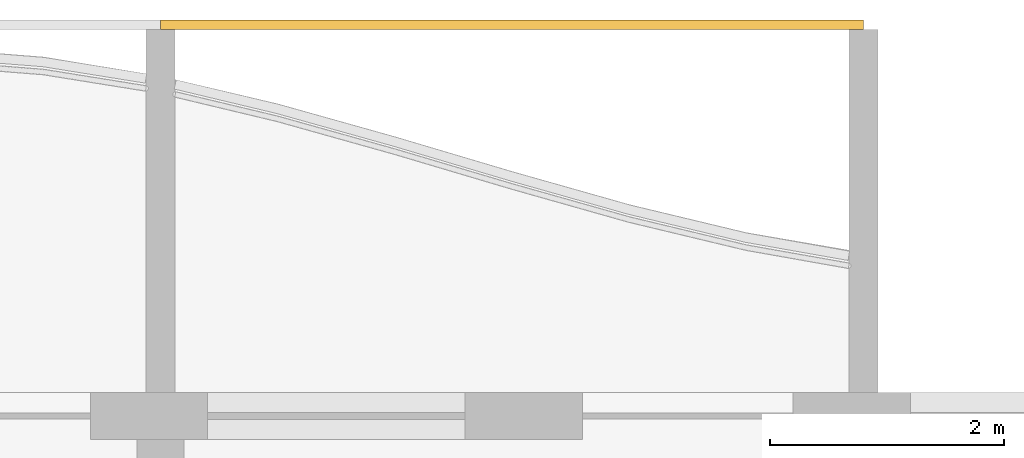
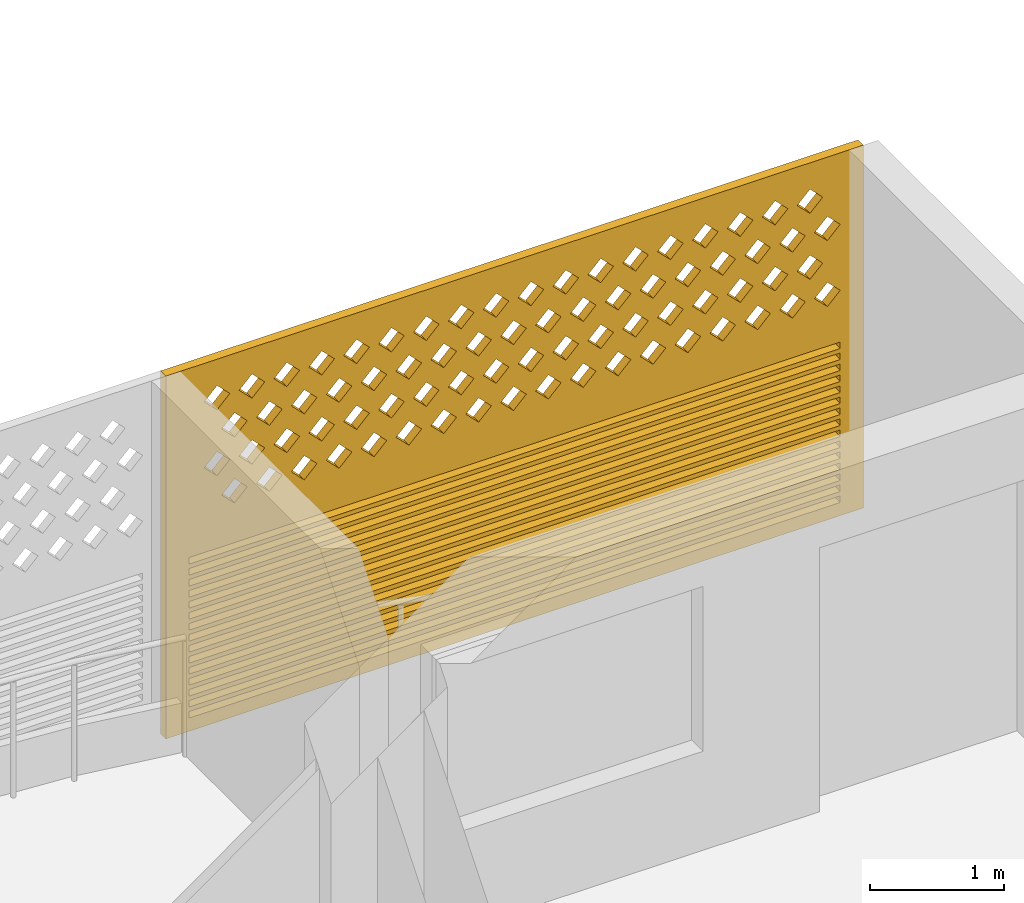
# One storey, part 24 of 39: 1 covering.
"""IFC4 building model written with IfcOpenShell, lengths in metres."""

from ifc_helpers import new_model, si_unit, direction, frame, origin, place, context, subcontext, project, spatial, polyline, outline, extrude, source, transform, mapped, material, material_profile, profile_set, type_object, element, save


model = new_model("IFC4")

# Units and contexts
model_context = context("Model", 3, precision=1e-05, world=origin(), true_north=direction((0.0, 1.0)))
body_context = subcontext(model_context, "Body", "Model", "MODEL_VIEW")
ifc_project = project(units=[si_unit("LENGTHUNIT", "METRE"), si_unit("AREAUNIT", "SQUARE_METRE"), si_unit("VOLUMEUNIT", "CUBIC_METRE"), si_unit("PLANEANGLEUNIT", "RADIAN"), si_unit("MASSUNIT", "GRAM", prefix="KILO")], contexts=[model_context])

# Site, building, storey
site_placement = place(None, origin())
site = spatial("IfcSite", under=ifc_project, at=site_placement, CompositionType="ELEMENT")
building_placement = place(site_placement, origin())
building = spatial("IfcBuilding", under=site, at=building_placement, Name="Poui Terraces", CompositionType="ELEMENT")
storey_placement = place(building_placement, frame((0.0, 0.0, 59.699951171875)))
storey = spatial("IfcBuildingStorey", under=building, at=storey_placement, Name="L16", CompositionType="ELEMENT", Elevation=59.699951171875)

# Covering
ifc_material = material(Name="Terracotta screen", Category="masonry")
ifc_material_profile = material_profile(ifc_material, outline(polyline([(-3.0, -1.64990234375), (3.0, -1.64990234375), (3.0, 1.64990234375), (-3.0, 1.64990234375), (-3.0, -1.64990234375)]), holes=[polyline([(-2.800048828125, 0.39990234375), (-2.68994140625, 0.2900390625), (-2.580078125, 0.39990234375), (-2.68994140625, 0.510009765625), (-2.800048828125, 0.39990234375)]), polyline([(-2.5, 0.39990234375), (-2.389892578125, 0.2900390625), (-2.280029296875, 0.39990234375), (-2.389892578125, 0.510009765625), (-2.5, 0.39990234375)]), polyline([(-2.199951171875, 0.39990234375), (-2.090087890625, 0.2900390625), (-1.97998046875, 0.39990234375), (-2.090087890625, 0.510009765625), (-2.199951171875, 0.39990234375)]), polyline([(-1.89990234375, 0.39990234375), (-1.7900390625, 0.2900390625), (-1.679931640625, 0.39990234375), (-1.7900390625, 0.510009765625), (-1.89990234375, 0.39990234375)]), polyline([(-1.60009765625, 0.39990234375), (-1.489990234375, 0.2900390625), (-1.3798828125, 0.39990234375), (-1.489990234375, 0.510009765625), (-1.60009765625, 0.39990234375)]), polyline([(-1.300048828125, 0.39990234375), (-1.18994140625, 0.2900390625), (-1.080078125, 0.39990234375), (-1.18994140625, 0.510009765625), (-1.300048828125, 0.39990234375)]), polyline([(-1.0, 0.39990234375), (-0.889892578125, 0.2900390625), (-0.780029296875, 0.39990234375), (-0.889892578125, 0.510009765625), (-1.0, 0.39990234375)]), polyline([(-0.699951171875, 0.39990234375), (-0.590087890625, 0.2900390625), (-0.47998046875, 0.39990234375), (-0.590087890625, 0.510009765625), (-0.699951171875, 0.39990234375)]), polyline([(-0.39990234375, 0.39990234375), (-0.2900390625, 0.2900390625), (-0.179931640625, 0.39990234375), (-0.2900390625, 0.510009765625), (-0.39990234375, 0.39990234375)]), polyline([(-0.10009765625, 0.39990234375), (0.010009765625, 0.2900390625), (0.1201171875, 0.39990234375), (0.010009765625, 0.510009765625), (-0.10009765625, 0.39990234375)]), polyline([(0.199951171875, 0.39990234375), (0.31005859375, 0.2900390625), (0.419921875, 0.39990234375), (0.31005859375, 0.510009765625), (0.199951171875, 0.39990234375)]), polyline([(0.5, 0.39990234375), (0.610107421875, 0.2900390625), (0.719970703125, 0.39990234375), (0.610107421875, 0.510009765625), (0.5, 0.39990234375)]), polyline([(0.800048828125, 0.39990234375), (0.909912109375, 0.2900390625), (1.02001953125, 0.39990234375), (0.909912109375, 0.510009765625), (0.800048828125, 0.39990234375)]), polyline([(1.10009765625, 0.39990234375), (1.2099609375, 0.2900390625), (1.320068359375, 0.39990234375), (1.2099609375, 0.510009765625), (1.10009765625, 0.39990234375)]), polyline([(1.39990234375, 0.39990234375), (1.510009765625, 0.2900390625), (1.6201171875, 0.39990234375), (1.510009765625, 0.510009765625), (1.39990234375, 0.39990234375)]), polyline([(1.699951171875, 0.39990234375), (1.81005859375, 0.2900390625), (1.919921875, 0.39990234375), (1.81005859375, 0.510009765625), (1.699951171875, 0.39990234375)]), polyline([(2.0, 0.39990234375), (2.110107421875, 0.2900390625), (2.219970703125, 0.39990234375), (2.110107421875, 0.510009765625), (2.0, 0.39990234375)]), polyline([(2.300048828125, 0.39990234375), (2.409912109375, 0.2900390625), (2.52001953125, 0.39990234375), (2.409912109375, 0.510009765625), (2.300048828125, 0.39990234375)]), polyline([(-2.64990234375, 0.699951171875), (-2.5400390625, 0.590087890625), (-2.429931640625, 0.699951171875), (-2.5400390625, 0.81005859375), (-2.64990234375, 0.699951171875)]), polyline([(-2.35009765625, 0.699951171875), (-2.239990234375, 0.590087890625), (-2.1298828125, 0.699951171875), (-2.239990234375, 0.81005859375), (-2.35009765625, 0.699951171875)]), polyline([(-2.050048828125, 0.699951171875), (-1.93994140625, 0.590087890625), (-1.830078125, 0.699951171875), (-1.93994140625, 0.81005859375), (-2.050048828125, 0.699951171875)]), polyline([(-1.75, 0.699951171875), (-1.639892578125, 0.590087890625), (-1.530029296875, 0.699951171875), (-1.639892578125, 0.81005859375), (-1.75, 0.699951171875)]), polyline([(-1.449951171875, 0.699951171875), (-1.340087890625, 0.590087890625), (-1.22998046875, 0.699951171875), (-1.340087890625, 0.81005859375), (-1.449951171875, 0.699951171875)]), polyline([(-1.14990234375, 0.699951171875), (-1.0400390625, 0.590087890625), (-0.929931640625, 0.699951171875), (-1.0400390625, 0.81005859375), (-1.14990234375, 0.699951171875)]), polyline([(-0.85009765625, 0.699951171875), (-0.739990234375, 0.590087890625), (-0.6298828125, 0.699951171875), (-0.739990234375, 0.81005859375), (-0.85009765625, 0.699951171875)]), polyline([(-0.550048828125, 0.699951171875), (-0.43994140625, 0.590087890625), (-0.330078125, 0.699951171875), (-0.43994140625, 0.81005859375), (-0.550048828125, 0.699951171875)]), polyline([(-0.25, 0.699951171875), (-0.139892578125, 0.590087890625), (-0.030029296875, 0.699951171875), (-0.139892578125, 0.81005859375), (-0.25, 0.699951171875)]), polyline([(0.050048828125, 0.699951171875), (0.159912109375, 0.590087890625), (0.27001953125, 0.699951171875), (0.159912109375, 0.81005859375), (0.050048828125, 0.699951171875)]), polyline([(0.35009765625, 0.699951171875), (0.4599609375, 0.590087890625), (0.570068359375, 0.699951171875), (0.4599609375, 0.81005859375), (0.35009765625, 0.699951171875)]), polyline([(0.64990234375, 0.699951171875), (0.760009765625, 0.590087890625), (0.8701171875, 0.699951171875), (0.760009765625, 0.81005859375), (0.64990234375, 0.699951171875)]), polyline([(0.949951171875, 0.699951171875), (1.06005859375, 0.590087890625), (1.169921875, 0.699951171875), (1.06005859375, 0.81005859375), (0.949951171875, 0.699951171875)]), polyline([(1.25, 0.699951171875), (1.360107421875, 0.590087890625), (1.469970703125, 0.699951171875), (1.360107421875, 0.81005859375), (1.25, 0.699951171875)]), polyline([(1.550048828125, 0.699951171875), (1.659912109375, 0.590087890625), (1.77001953125, 0.699951171875), (1.659912109375, 0.81005859375), (1.550048828125, 0.699951171875)]), polyline([(1.85009765625, 0.699951171875), (1.9599609375, 0.590087890625), (2.070068359375, 0.699951171875), (1.9599609375, 0.81005859375), (1.85009765625, 0.699951171875)]), polyline([(2.14990234375, 0.699951171875), (2.260009765625, 0.590087890625), (2.3701171875, 0.699951171875), (2.260009765625, 0.81005859375), (2.14990234375, 0.699951171875)]), polyline([(2.449951171875, 0.699951171875), (2.56005859375, 0.590087890625), (2.669921875, 0.699951171875), (2.56005859375, 0.81005859375), (2.449951171875, 0.699951171875)]), polyline([(-2.800048828125, 1.0), (-2.68994140625, 0.889892578125), (-2.580078125, 1.0), (-2.68994140625, 1.110107421875), (-2.800048828125, 1.0)]), polyline([(-2.5, 1.0), (-2.389892578125, 0.889892578125), (-2.280029296875, 1.0), (-2.389892578125, 1.110107421875), (-2.5, 1.0)]), polyline([(-2.199951171875, 1.0), (-2.090087890625, 0.889892578125), (-1.97998046875, 1.0), (-2.090087890625, 1.110107421875), (-2.199951171875, 1.0)]), polyline([(-1.89990234375, 1.0), (-1.7900390625, 0.889892578125), (-1.679931640625, 1.0), (-1.7900390625, 1.110107421875), (-1.89990234375, 1.0)]), polyline([(-1.60009765625, 1.0), (-1.489990234375, 0.889892578125), (-1.3798828125, 1.0), (-1.489990234375, 1.110107421875), (-1.60009765625, 1.0)]), polyline([(-1.300048828125, 1.0), (-1.18994140625, 0.889892578125), (-1.080078125, 1.0), (-1.18994140625, 1.110107421875), (-1.300048828125, 1.0)]), polyline([(-1.0, 1.0), (-0.889892578125, 0.889892578125), (-0.780029296875, 1.0), (-0.889892578125, 1.110107421875), (-1.0, 1.0)]), polyline([(-0.699951171875, 1.0), (-0.590087890625, 0.889892578125), (-0.47998046875, 1.0), (-0.590087890625, 1.110107421875), (-0.699951171875, 1.0)]), polyline([(-0.39990234375, 1.0), (-0.2900390625, 0.889892578125), (-0.179931640625, 1.0), (-0.2900390625, 1.110107421875), (-0.39990234375, 1.0)]), polyline([(-0.10009765625, 1.0), (0.010009765625, 0.889892578125), (0.1201171875, 1.0), (0.010009765625, 1.110107421875), (-0.10009765625, 1.0)]), polyline([(0.199951171875, 1.0), (0.31005859375, 0.889892578125), (0.419921875, 1.0), (0.31005859375, 1.110107421875), (0.199951171875, 1.0)]), polyline([(0.5, 1.0), (0.610107421875, 0.889892578125), (0.719970703125, 1.0), (0.610107421875, 1.110107421875), (0.5, 1.0)]), polyline([(0.800048828125, 1.0), (0.909912109375, 0.889892578125), (1.02001953125, 1.0), (0.909912109375, 1.110107421875), (0.800048828125, 1.0)]), polyline([(1.10009765625, 1.0), (1.2099609375, 0.889892578125), (1.320068359375, 1.0), (1.2099609375, 1.110107421875), (1.10009765625, 1.0)]), polyline([(1.39990234375, 1.0), (1.510009765625, 0.889892578125), (1.6201171875, 1.0), (1.510009765625, 1.110107421875), (1.39990234375, 1.0)]), polyline([(1.699951171875, 1.0), (1.81005859375, 0.889892578125), (1.919921875, 1.0), (1.81005859375, 1.110107421875), (1.699951171875, 1.0)]), polyline([(2.0, 1.0), (2.110107421875, 0.889892578125), (2.219970703125, 1.0), (2.110107421875, 1.110107421875), (2.0, 1.0)]), polyline([(2.300048828125, 1.0), (2.409912109375, 0.889892578125), (2.52001953125, 1.0), (2.409912109375, 1.110107421875), (2.300048828125, 1.0)]), polyline([(-2.64990234375, 1.300048828125), (-2.5400390625, 1.18994140625), (-2.429931640625, 1.300048828125), (-2.5400390625, 1.409912109375), (-2.64990234375, 1.300048828125)]), polyline([(-2.35009765625, 1.300048828125), (-2.239990234375, 1.18994140625), (-2.1298828125, 1.300048828125), (-2.239990234375, 1.409912109375), (-2.35009765625, 1.300048828125)]), polyline([(-2.050048828125, 1.300048828125), (-1.93994140625, 1.18994140625), (-1.830078125, 1.300048828125), (-1.93994140625, 1.409912109375), (-2.050048828125, 1.300048828125)]), polyline([(-1.75, 1.300048828125), (-1.639892578125, 1.18994140625), (-1.530029296875, 1.300048828125), (-1.639892578125, 1.409912109375), (-1.75, 1.300048828125)]), polyline([(-1.449951171875, 1.300048828125), (-1.340087890625, 1.18994140625), (-1.22998046875, 1.300048828125), (-1.340087890625, 1.409912109375), (-1.449951171875, 1.300048828125)]), polyline([(-1.14990234375, 1.300048828125), (-1.0400390625, 1.18994140625), (-0.929931640625, 1.300048828125), (-1.0400390625, 1.409912109375), (-1.14990234375, 1.300048828125)]), polyline([(-0.85009765625, 1.300048828125), (-0.739990234375, 1.18994140625), (-0.6298828125, 1.300048828125), (-0.739990234375, 1.409912109375), (-0.85009765625, 1.300048828125)]), polyline([(-0.550048828125, 1.300048828125), (-0.43994140625, 1.18994140625), (-0.330078125, 1.300048828125), (-0.43994140625, 1.409912109375), (-0.550048828125, 1.300048828125)]), polyline([(-0.25, 1.300048828125), (-0.139892578125, 1.18994140625), (-0.030029296875, 1.300048828125), (-0.139892578125, 1.409912109375), (-0.25, 1.300048828125)]), polyline([(0.050048828125, 1.300048828125), (0.159912109375, 1.18994140625), (0.27001953125, 1.300048828125), (0.159912109375, 1.409912109375), (0.050048828125, 1.300048828125)]), polyline([(0.35009765625, 1.300048828125), (0.4599609375, 1.18994140625), (0.570068359375, 1.300048828125), (0.4599609375, 1.409912109375), (0.35009765625, 1.300048828125)]), polyline([(0.64990234375, 1.300048828125), (0.760009765625, 1.18994140625), (0.8701171875, 1.300048828125), (0.760009765625, 1.409912109375), (0.64990234375, 1.300048828125)]), polyline([(0.949951171875, 1.300048828125), (1.06005859375, 1.18994140625), (1.169921875, 1.300048828125), (1.06005859375, 1.409912109375), (0.949951171875, 1.300048828125)]), polyline([(1.25, 1.300048828125), (1.360107421875, 1.18994140625), (1.469970703125, 1.300048828125), (1.360107421875, 1.409912109375), (1.25, 1.300048828125)]), polyline([(1.550048828125, 1.300048828125), (1.659912109375, 1.18994140625), (1.77001953125, 1.300048828125), (1.659912109375, 1.409912109375), (1.550048828125, 1.300048828125)]), polyline([(1.85009765625, 1.300048828125), (1.9599609375, 1.18994140625), (2.070068359375, 1.300048828125), (1.9599609375, 1.409912109375), (1.85009765625, 1.300048828125)]), polyline([(2.14990234375, 1.300048828125), (2.260009765625, 1.18994140625), (2.3701171875, 1.300048828125), (2.260009765625, 1.409912109375), (2.14990234375, 1.300048828125)]), polyline([(2.449951171875, 1.300048828125), (2.56005859375, 1.18994140625), (2.669921875, 1.300048828125), (2.56005859375, 1.409912109375), (2.449951171875, 1.300048828125)]), polyline([(-2.800048828125, -1.530029296875), (2.800048828125, -1.530029296875), (2.800048828125, -1.469970703125), (-2.800048828125, -1.469970703125), (-2.800048828125, -1.530029296875)]), polyline([(-2.800048828125, -1.429931640625), (2.800048828125, -1.429931640625), (2.800048828125, -1.3701171875), (-2.800048828125, -1.3701171875), (-2.800048828125, -1.429931640625)]), polyline([(-2.800048828125, -1.330078125), (2.800048828125, -1.330078125), (2.800048828125, -1.27001953125), (-2.800048828125, -1.27001953125), (-2.800048828125, -1.330078125)]), polyline([(-2.800048828125, -1.22998046875), (2.800048828125, -1.22998046875), (2.800048828125, -1.169921875), (-2.800048828125, -1.169921875), (-2.800048828125, -1.22998046875)]), polyline([(-2.800048828125, -1.1298828125), (2.800048828125, -1.1298828125), (2.800048828125, -1.070068359375), (-2.800048828125, -1.070068359375), (-2.800048828125, -1.1298828125)]), polyline([(-2.800048828125, -1.030029296875), (2.800048828125, -1.030029296875), (2.800048828125, -0.969970703125), (-2.800048828125, -0.969970703125), (-2.800048828125, -1.030029296875)]), polyline([(-2.800048828125, -0.929931640625), (2.800048828125, -0.929931640625), (2.800048828125, -0.8701171875), (-2.800048828125, -0.8701171875), (-2.800048828125, -0.929931640625)]), polyline([(-2.800048828125, -0.830078125), (2.800048828125, -0.830078125), (2.800048828125, -0.77001953125), (-2.800048828125, -0.77001953125), (-2.800048828125, -0.830078125)]), polyline([(-2.800048828125, -0.72998046875), (2.800048828125, -0.72998046875), (2.800048828125, -0.669921875), (-2.800048828125, -0.669921875), (-2.800048828125, -0.72998046875)]), polyline([(-2.800048828125, -0.6298828125), (2.800048828125, -0.6298828125), (2.800048828125, -0.570068359375), (-2.800048828125, -0.570068359375), (-2.800048828125, -0.6298828125)]), polyline([(-2.800048828125, -0.530029296875), (2.800048828125, -0.530029296875), (2.800048828125, -0.469970703125), (-2.800048828125, -0.469970703125), (-2.800048828125, -0.530029296875)]), polyline([(-2.800048828125, -0.429931640625), (2.800048828125, -0.429931640625), (2.800048828125, -0.3701171875), (-2.800048828125, -0.3701171875), (-2.800048828125, -0.429931640625)]), polyline([(-2.800048828125, -0.330078125), (2.800048828125, -0.330078125), (2.800048828125, -0.27001953125), (-2.800048828125, -0.27001953125), (-2.800048828125, -0.330078125)]), polyline([(-2.800048828125, -0.22998046875), (2.800048828125, -0.22998046875), (2.800048828125, -0.169921875), (-2.800048828125, -0.169921875), (-2.800048828125, -0.22998046875)]), polyline([(-2.800048828125, -0.1298828125), (2.800048828125, -0.1298828125), (2.800048828125, -0.070068359375), (-2.800048828125, -0.070068359375), (-2.800048828125, -0.1298828125)])]), Name="TERRACOTTA SCREEN AND JALOUSIE LOUVRE 6000X3300")
ifc_profile_set = profile_set([ifc_material_profile], Name="Terracotta screen")
covering_type = type_object("IfcCoveringType", Name="TERRACOTTA SCREEN AND JALOUSIE LOUVRE 6000X3300", PredefinedType="CLADDING", material=ifc_profile_set)
shared_shape = source(origin(), body_context, "Body", "SweptSolid", [
    extrude(outline(polyline([(-3.0, -1.64990234375), (3.0, -1.64990234375), (3.0, 1.64990234375), (-3.0, 1.64990234375), (-3.0, -1.64990234375)]), holes=[polyline([(-2.800048828125, 0.39990234375), (-2.68994140625, 0.2900390625), (-2.580078125, 0.39990234375), (-2.68994140625, 0.510009765625), (-2.800048828125, 0.39990234375)]), polyline([(-2.5, 0.39990234375), (-2.389892578125, 0.2900390625), (-2.280029296875, 0.39990234375), (-2.389892578125, 0.510009765625), (-2.5, 0.39990234375)]), polyline([(-2.199951171875, 0.39990234375), (-2.090087890625, 0.2900390625), (-1.97998046875, 0.39990234375), (-2.090087890625, 0.510009765625), (-2.199951171875, 0.39990234375)]), polyline([(-1.89990234375, 0.39990234375), (-1.7900390625, 0.2900390625), (-1.679931640625, 0.39990234375), (-1.7900390625, 0.510009765625), (-1.89990234375, 0.39990234375)]), polyline([(-1.60009765625, 0.39990234375), (-1.489990234375, 0.2900390625), (-1.3798828125, 0.39990234375), (-1.489990234375, 0.510009765625), (-1.60009765625, 0.39990234375)]), polyline([(-1.300048828125, 0.39990234375), (-1.18994140625, 0.2900390625), (-1.080078125, 0.39990234375), (-1.18994140625, 0.510009765625), (-1.300048828125, 0.39990234375)]), polyline([(-1.0, 0.39990234375), (-0.889892578125, 0.2900390625), (-0.780029296875, 0.39990234375), (-0.889892578125, 0.510009765625), (-1.0, 0.39990234375)]), polyline([(-0.699951171875, 0.39990234375), (-0.590087890625, 0.2900390625), (-0.47998046875, 0.39990234375), (-0.590087890625, 0.510009765625), (-0.699951171875, 0.39990234375)]), polyline([(-0.39990234375, 0.39990234375), (-0.2900390625, 0.2900390625), (-0.179931640625, 0.39990234375), (-0.2900390625, 0.510009765625), (-0.39990234375, 0.39990234375)]), polyline([(-0.10009765625, 0.39990234375), (0.010009765625, 0.2900390625), (0.1201171875, 0.39990234375), (0.010009765625, 0.510009765625), (-0.10009765625, 0.39990234375)]), polyline([(0.199951171875, 0.39990234375), (0.31005859375, 0.2900390625), (0.419921875, 0.39990234375), (0.31005859375, 0.510009765625), (0.199951171875, 0.39990234375)]), polyline([(0.5, 0.39990234375), (0.610107421875, 0.2900390625), (0.719970703125, 0.39990234375), (0.610107421875, 0.510009765625), (0.5, 0.39990234375)]), polyline([(0.800048828125, 0.39990234375), (0.909912109375, 0.2900390625), (1.02001953125, 0.39990234375), (0.909912109375, 0.510009765625), (0.800048828125, 0.39990234375)]), polyline([(1.10009765625, 0.39990234375), (1.2099609375, 0.2900390625), (1.320068359375, 0.39990234375), (1.2099609375, 0.510009765625), (1.10009765625, 0.39990234375)]), polyline([(1.39990234375, 0.39990234375), (1.510009765625, 0.2900390625), (1.6201171875, 0.39990234375), (1.510009765625, 0.510009765625), (1.39990234375, 0.39990234375)]), polyline([(1.699951171875, 0.39990234375), (1.81005859375, 0.2900390625), (1.919921875, 0.39990234375), (1.81005859375, 0.510009765625), (1.699951171875, 0.39990234375)]), polyline([(2.0, 0.39990234375), (2.110107421875, 0.2900390625), (2.219970703125, 0.39990234375), (2.110107421875, 0.510009765625), (2.0, 0.39990234375)]), polyline([(2.300048828125, 0.39990234375), (2.409912109375, 0.2900390625), (2.52001953125, 0.39990234375), (2.409912109375, 0.510009765625), (2.300048828125, 0.39990234375)]), polyline([(-2.64990234375, 0.699951171875), (-2.5400390625, 0.590087890625), (-2.429931640625, 0.699951171875), (-2.5400390625, 0.81005859375), (-2.64990234375, 0.699951171875)]), polyline([(-2.35009765625, 0.699951171875), (-2.239990234375, 0.590087890625), (-2.1298828125, 0.699951171875), (-2.239990234375, 0.81005859375), (-2.35009765625, 0.699951171875)]), polyline([(-2.050048828125, 0.699951171875), (-1.93994140625, 0.590087890625), (-1.830078125, 0.699951171875), (-1.93994140625, 0.81005859375), (-2.050048828125, 0.699951171875)]), polyline([(-1.75, 0.699951171875), (-1.639892578125, 0.590087890625), (-1.530029296875, 0.699951171875), (-1.639892578125, 0.81005859375), (-1.75, 0.699951171875)]), polyline([(-1.449951171875, 0.699951171875), (-1.340087890625, 0.590087890625), (-1.22998046875, 0.699951171875), (-1.340087890625, 0.81005859375), (-1.449951171875, 0.699951171875)]), polyline([(-1.14990234375, 0.699951171875), (-1.0400390625, 0.590087890625), (-0.929931640625, 0.699951171875), (-1.0400390625, 0.81005859375), (-1.14990234375, 0.699951171875)]), polyline([(-0.85009765625, 0.699951171875), (-0.739990234375, 0.590087890625), (-0.6298828125, 0.699951171875), (-0.739990234375, 0.81005859375), (-0.85009765625, 0.699951171875)]), polyline([(-0.550048828125, 0.699951171875), (-0.43994140625, 0.590087890625), (-0.330078125, 0.699951171875), (-0.43994140625, 0.81005859375), (-0.550048828125, 0.699951171875)]), polyline([(-0.25, 0.699951171875), (-0.139892578125, 0.590087890625), (-0.030029296875, 0.699951171875), (-0.139892578125, 0.81005859375), (-0.25, 0.699951171875)]), polyline([(0.050048828125, 0.699951171875), (0.159912109375, 0.590087890625), (0.27001953125, 0.699951171875), (0.159912109375, 0.81005859375), (0.050048828125, 0.699951171875)]), polyline([(0.35009765625, 0.699951171875), (0.4599609375, 0.590087890625), (0.570068359375, 0.699951171875), (0.4599609375, 0.81005859375), (0.35009765625, 0.699951171875)]), polyline([(0.64990234375, 0.699951171875), (0.760009765625, 0.590087890625), (0.8701171875, 0.699951171875), (0.760009765625, 0.81005859375), (0.64990234375, 0.699951171875)]), polyline([(0.949951171875, 0.699951171875), (1.06005859375, 0.590087890625), (1.169921875, 0.699951171875), (1.06005859375, 0.81005859375), (0.949951171875, 0.699951171875)]), polyline([(1.25, 0.699951171875), (1.360107421875, 0.590087890625), (1.469970703125, 0.699951171875), (1.360107421875, 0.81005859375), (1.25, 0.699951171875)]), polyline([(1.550048828125, 0.699951171875), (1.659912109375, 0.590087890625), (1.77001953125, 0.699951171875), (1.659912109375, 0.81005859375), (1.550048828125, 0.699951171875)]), polyline([(1.85009765625, 0.699951171875), (1.9599609375, 0.590087890625), (2.070068359375, 0.699951171875), (1.9599609375, 0.81005859375), (1.85009765625, 0.699951171875)]), polyline([(2.14990234375, 0.699951171875), (2.260009765625, 0.590087890625), (2.3701171875, 0.699951171875), (2.260009765625, 0.81005859375), (2.14990234375, 0.699951171875)]), polyline([(2.449951171875, 0.699951171875), (2.56005859375, 0.590087890625), (2.669921875, 0.699951171875), (2.56005859375, 0.81005859375), (2.449951171875, 0.699951171875)]), polyline([(-2.800048828125, 1.0), (-2.68994140625, 0.889892578125), (-2.580078125, 1.0), (-2.68994140625, 1.110107421875), (-2.800048828125, 1.0)]), polyline([(-2.5, 1.0), (-2.389892578125, 0.889892578125), (-2.280029296875, 1.0), (-2.389892578125, 1.110107421875), (-2.5, 1.0)]), polyline([(-2.199951171875, 1.0), (-2.090087890625, 0.889892578125), (-1.97998046875, 1.0), (-2.090087890625, 1.110107421875), (-2.199951171875, 1.0)]), polyline([(-1.89990234375, 1.0), (-1.7900390625, 0.889892578125), (-1.679931640625, 1.0), (-1.7900390625, 1.110107421875), (-1.89990234375, 1.0)]), polyline([(-1.60009765625, 1.0), (-1.489990234375, 0.889892578125), (-1.3798828125, 1.0), (-1.489990234375, 1.110107421875), (-1.60009765625, 1.0)]), polyline([(-1.300048828125, 1.0), (-1.18994140625, 0.889892578125), (-1.080078125, 1.0), (-1.18994140625, 1.110107421875), (-1.300048828125, 1.0)]), polyline([(-1.0, 1.0), (-0.889892578125, 0.889892578125), (-0.780029296875, 1.0), (-0.889892578125, 1.110107421875), (-1.0, 1.0)]), polyline([(-0.699951171875, 1.0), (-0.590087890625, 0.889892578125), (-0.47998046875, 1.0), (-0.590087890625, 1.110107421875), (-0.699951171875, 1.0)]), polyline([(-0.39990234375, 1.0), (-0.2900390625, 0.889892578125), (-0.179931640625, 1.0), (-0.2900390625, 1.110107421875), (-0.39990234375, 1.0)]), polyline([(-0.10009765625, 1.0), (0.010009765625, 0.889892578125), (0.1201171875, 1.0), (0.010009765625, 1.110107421875), (-0.10009765625, 1.0)]), polyline([(0.199951171875, 1.0), (0.31005859375, 0.889892578125), (0.419921875, 1.0), (0.31005859375, 1.110107421875), (0.199951171875, 1.0)]), polyline([(0.5, 1.0), (0.610107421875, 0.889892578125), (0.719970703125, 1.0), (0.610107421875, 1.110107421875), (0.5, 1.0)]), polyline([(0.800048828125, 1.0), (0.909912109375, 0.889892578125), (1.02001953125, 1.0), (0.909912109375, 1.110107421875), (0.800048828125, 1.0)]), polyline([(1.10009765625, 1.0), (1.2099609375, 0.889892578125), (1.320068359375, 1.0), (1.2099609375, 1.110107421875), (1.10009765625, 1.0)]), polyline([(1.39990234375, 1.0), (1.510009765625, 0.889892578125), (1.6201171875, 1.0), (1.510009765625, 1.110107421875), (1.39990234375, 1.0)]), polyline([(1.699951171875, 1.0), (1.81005859375, 0.889892578125), (1.919921875, 1.0), (1.81005859375, 1.110107421875), (1.699951171875, 1.0)]), polyline([(2.0, 1.0), (2.110107421875, 0.889892578125), (2.219970703125, 1.0), (2.110107421875, 1.110107421875), (2.0, 1.0)]), polyline([(2.300048828125, 1.0), (2.409912109375, 0.889892578125), (2.52001953125, 1.0), (2.409912109375, 1.110107421875), (2.300048828125, 1.0)]), polyline([(-2.64990234375, 1.300048828125), (-2.5400390625, 1.18994140625), (-2.429931640625, 1.300048828125), (-2.5400390625, 1.409912109375), (-2.64990234375, 1.300048828125)]), polyline([(-2.35009765625, 1.300048828125), (-2.239990234375, 1.18994140625), (-2.1298828125, 1.300048828125), (-2.239990234375, 1.409912109375), (-2.35009765625, 1.300048828125)]), polyline([(-2.050048828125, 1.300048828125), (-1.93994140625, 1.18994140625), (-1.830078125, 1.300048828125), (-1.93994140625, 1.409912109375), (-2.050048828125, 1.300048828125)]), polyline([(-1.75, 1.300048828125), (-1.639892578125, 1.18994140625), (-1.530029296875, 1.300048828125), (-1.639892578125, 1.409912109375), (-1.75, 1.300048828125)]), polyline([(-1.449951171875, 1.300048828125), (-1.340087890625, 1.18994140625), (-1.22998046875, 1.300048828125), (-1.340087890625, 1.409912109375), (-1.449951171875, 1.300048828125)]), polyline([(-1.14990234375, 1.300048828125), (-1.0400390625, 1.18994140625), (-0.929931640625, 1.300048828125), (-1.0400390625, 1.409912109375), (-1.14990234375, 1.300048828125)]), polyline([(-0.85009765625, 1.300048828125), (-0.739990234375, 1.18994140625), (-0.6298828125, 1.300048828125), (-0.739990234375, 1.409912109375), (-0.85009765625, 1.300048828125)]), polyline([(-0.550048828125, 1.300048828125), (-0.43994140625, 1.18994140625), (-0.330078125, 1.300048828125), (-0.43994140625, 1.409912109375), (-0.550048828125, 1.300048828125)]), polyline([(-0.25, 1.300048828125), (-0.139892578125, 1.18994140625), (-0.030029296875, 1.300048828125), (-0.139892578125, 1.409912109375), (-0.25, 1.300048828125)]), polyline([(0.050048828125, 1.300048828125), (0.159912109375, 1.18994140625), (0.27001953125, 1.300048828125), (0.159912109375, 1.409912109375), (0.050048828125, 1.300048828125)]), polyline([(0.35009765625, 1.300048828125), (0.4599609375, 1.18994140625), (0.570068359375, 1.300048828125), (0.4599609375, 1.409912109375), (0.35009765625, 1.300048828125)]), polyline([(0.64990234375, 1.300048828125), (0.760009765625, 1.18994140625), (0.8701171875, 1.300048828125), (0.760009765625, 1.409912109375), (0.64990234375, 1.300048828125)]), polyline([(0.949951171875, 1.300048828125), (1.06005859375, 1.18994140625), (1.169921875, 1.300048828125), (1.06005859375, 1.409912109375), (0.949951171875, 1.300048828125)]), polyline([(1.25, 1.300048828125), (1.360107421875, 1.18994140625), (1.469970703125, 1.300048828125), (1.360107421875, 1.409912109375), (1.25, 1.300048828125)]), polyline([(1.550048828125, 1.300048828125), (1.659912109375, 1.18994140625), (1.77001953125, 1.300048828125), (1.659912109375, 1.409912109375), (1.550048828125, 1.300048828125)]), polyline([(1.85009765625, 1.300048828125), (1.9599609375, 1.18994140625), (2.070068359375, 1.300048828125), (1.9599609375, 1.409912109375), (1.85009765625, 1.300048828125)]), polyline([(2.14990234375, 1.300048828125), (2.260009765625, 1.18994140625), (2.3701171875, 1.300048828125), (2.260009765625, 1.409912109375), (2.14990234375, 1.300048828125)]), polyline([(2.449951171875, 1.300048828125), (2.56005859375, 1.18994140625), (2.669921875, 1.300048828125), (2.56005859375, 1.409912109375), (2.449951171875, 1.300048828125)]), polyline([(-2.800048828125, -1.530029296875), (2.800048828125, -1.530029296875), (2.800048828125, -1.469970703125), (-2.800048828125, -1.469970703125), (-2.800048828125, -1.530029296875)]), polyline([(-2.800048828125, -1.429931640625), (2.800048828125, -1.429931640625), (2.800048828125, -1.3701171875), (-2.800048828125, -1.3701171875), (-2.800048828125, -1.429931640625)]), polyline([(-2.800048828125, -1.330078125), (2.800048828125, -1.330078125), (2.800048828125, -1.27001953125), (-2.800048828125, -1.27001953125), (-2.800048828125, -1.330078125)]), polyline([(-2.800048828125, -1.22998046875), (2.800048828125, -1.22998046875), (2.800048828125, -1.169921875), (-2.800048828125, -1.169921875), (-2.800048828125, -1.22998046875)]), polyline([(-2.800048828125, -1.1298828125), (2.800048828125, -1.1298828125), (2.800048828125, -1.070068359375), (-2.800048828125, -1.070068359375), (-2.800048828125, -1.1298828125)]), polyline([(-2.800048828125, -1.030029296875), (2.800048828125, -1.030029296875), (2.800048828125, -0.969970703125), (-2.800048828125, -0.969970703125), (-2.800048828125, -1.030029296875)]), polyline([(-2.800048828125, -0.929931640625), (2.800048828125, -0.929931640625), (2.800048828125, -0.8701171875), (-2.800048828125, -0.8701171875), (-2.800048828125, -0.929931640625)]), polyline([(-2.800048828125, -0.830078125), (2.800048828125, -0.830078125), (2.800048828125, -0.77001953125), (-2.800048828125, -0.77001953125), (-2.800048828125, -0.830078125)]), polyline([(-2.800048828125, -0.72998046875), (2.800048828125, -0.72998046875), (2.800048828125, -0.669921875), (-2.800048828125, -0.669921875), (-2.800048828125, -0.72998046875)]), polyline([(-2.800048828125, -0.6298828125), (2.800048828125, -0.6298828125), (2.800048828125, -0.570068359375), (-2.800048828125, -0.570068359375), (-2.800048828125, -0.6298828125)]), polyline([(-2.800048828125, -0.530029296875), (2.800048828125, -0.530029296875), (2.800048828125, -0.469970703125), (-2.800048828125, -0.469970703125), (-2.800048828125, -0.530029296875)]), polyline([(-2.800048828125, -0.429931640625), (2.800048828125, -0.429931640625), (2.800048828125, -0.3701171875), (-2.800048828125, -0.3701171875), (-2.800048828125, -0.429931640625)]), polyline([(-2.800048828125, -0.330078125), (2.800048828125, -0.330078125), (2.800048828125, -0.27001953125), (-2.800048828125, -0.27001953125), (-2.800048828125, -0.330078125)]), polyline([(-2.800048828125, -0.22998046875), (2.800048828125, -0.22998046875), (2.800048828125, -0.169921875), (-2.800048828125, -0.169921875), (-2.800048828125, -0.22998046875)]), polyline([(-2.800048828125, -0.1298828125), (2.800048828125, -0.1298828125), (2.800048828125, -0.070068359375), (-2.800048828125, -0.070068359375), (-2.800048828125, -0.1298828125)])]), origin(), (0.0, 0.0, 1.0), 0.079833984375),
])
covering_placement = place(storey_placement, frame((27.0, 48.10009765625, 1.449951171875), z_axis=(0.0, 1.0, 0.0), x_axis=(-1.0, 0.0, 0.0)))
element("IfcCovering", 1, at=covering_placement, inside=storey, type_object=covering_type, Name="SOLAR SCREEN AND JALOUSIE LOUVRE", PredefinedType="CLADDING", context=body_context, shape_type="MappedRepresentation", body=[
    mapped(shared_shape, transform((0.0, 0.0, 0.0))),
])

save(model, "model.ifc")
